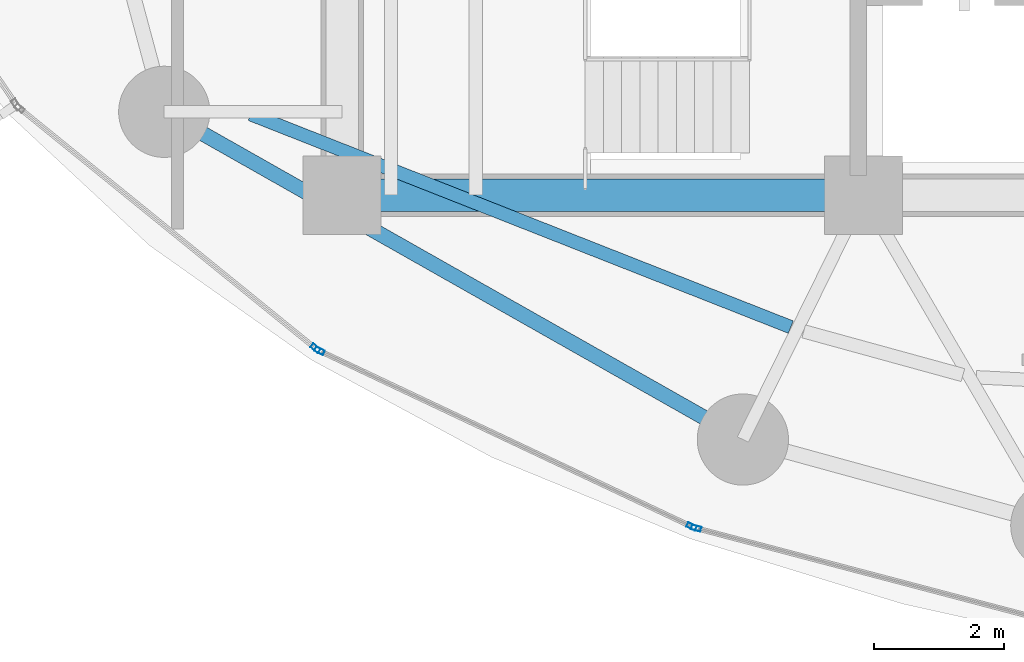
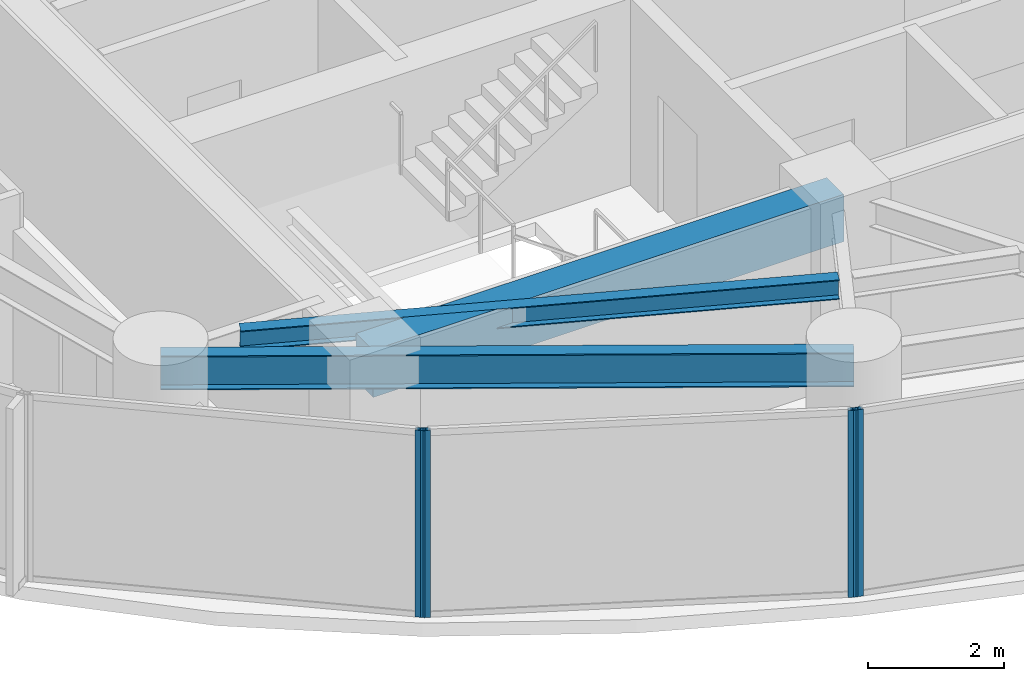
# One storey, part 2 of 30: 4 members, 3 beams, 3 elements without a shape of their own.
"""IFC4 building model written with IfcOpenShell, lengths in metres."""

from ifc_helpers import new_model, si_unit, direction, frame, origin, origin_2d, place, context, subcontext, project, spatial, rectangle, hollow_rectangle, i_section, extrude, material, layer, layer_set, material_profile, profile_set, type_object, element, aggregate, save


model = new_model("IFC4")

# Units and contexts
model_context = context("Model", 3, precision=1e-05, world=origin(), true_north=direction((0.0, 1.0)))
body_context = subcontext(model_context, "Body", "Model", "MODEL_VIEW")
ifc_project = project(units=[si_unit("LENGTHUNIT", "METRE"), si_unit("AREAUNIT", "SQUARE_METRE"), si_unit("VOLUMEUNIT", "CUBIC_METRE"), si_unit("PLANEANGLEUNIT", "RADIAN"), si_unit("MASSUNIT", "GRAM", prefix="KILO")], contexts=[model_context])

# Site, building, storey
site_placement = place(None, origin())
site = spatial("IfcSite", under=ifc_project, at=site_placement, CompositionType="ELEMENT")
building_placement = place(site_placement, origin())
building = spatial("IfcBuilding", under=site, at=building_placement, Name="Kazevale Care Tower and Concert Hall", CompositionType="ELEMENT")
storey_placement = place(building_placement, frame((0.0, 0.0, 74.39990234375)))
storey = spatial("IfcBuildingStorey", under=building, at=storey_placement, Name="L19", CompositionType="ELEMENT", Elevation=74.39990234375)

# Curtain wall, member
ifc_material_1 = material(Name="Aluminium 6063-T6 and Low-E Glass", Category="aluminium")
ifc_layer = layer(ifc_material_1, 0.179931640625)
ifc_layer_set = layer_set([ifc_layer], Name="Aluminium 6063-T6 and Low-E Glass")
curtain_wall_type = type_object("IfcCurtainWallType", Name="Sheltered Concave Balcony Curtain Wall CW-5", PredefinedType="NOTDEFINED", material=ifc_layer_set)
curtain_wall_1_placement = place(storey_placement, origin())
curtain_wall_1 = element("IfcCurtainWall", 1, at=curtain_wall_1_placement, inside=storey, type_object=curtain_wall_type, Name="cw:L19:f08", PredefinedType="NOTDEFINED")
ifc_material_2 = material(Name="Aluminium 6063-T6", Category="aluminium")
ifc_material_profile_1 = material_profile(ifc_material_2, hollow_rectangle(XDim=0.074951171875, YDim=0.14990234375, WallThickness=0.00390625, at=origin_2d()), Name="ALU75x150x4")
ifc_profile_set_1 = profile_set([ifc_material_profile_1], Name="Aluminium 6063-T6")
member_type = type_object("IfcMemberType", Name="CW-5 Mullion ALU75x150x4", PredefinedType="MULLION", material=ifc_profile_set_1)
member_1_placement = place(storey_placement, frame((27.433349609375, 18.489501953125, 0.0), z_axis=(0.0, 0.0, 1.0), x_axis=(-0.254828630267, -0.966986230097, 0.0)))
member_1 = element("IfcMember", 2, at=member_1_placement, type_object=member_type, Name="CW-5 mullion 2", PredefinedType="MULLION", context=body_context, shape_type="SweptSolid", body=[
    extrude(hollow_rectangle(XDim=0.074951171875, YDim=0.14990234375, WallThickness=0.00390625, at=origin_2d()), origin(), (0.0, 0.0, 1.0), 3.360107421875),
])
aggregate(curtain_wall_1, [member_1])

# Curtain wall, members
curtain_wall_2_placement = place(storey_placement, origin())
curtain_wall_2 = element("IfcCurtainWall", 3, at=curtain_wall_2_placement, inside=storey, type_object=curtain_wall_type, Name="cw:L19:f09", PredefinedType="NOTDEFINED")
member_2_placement = place(storey_placement, frame((27.363037109375, 18.514892578125, 0.0), z_axis=(0.0, 0.0, 1.0), x_axis=(-0.426942320459, -0.904278859092, 0.0)))
member_2 = element("IfcMember", 4, at=member_2_placement, type_object=member_type, Name="CW-5 mullion 1", PredefinedType="MULLION", context=body_context, shape_type="SweptSolid", body=[
    extrude(hollow_rectangle(XDim=0.074951171875, YDim=0.14990234375, WallThickness=0.00390625, at=origin_2d()), origin(), (0.0, 0.0, 1.0), 3.360107421875),
])
member_3_placement = place(storey_placement, frame((21.65283203125, 21.2109375, 0.0), z_axis=(0.0, 0.0, 1.0), x_axis=(-0.426942320459, -0.904278859092, 0.0)))
member_3 = element("IfcMember", 5, at=member_3_placement, type_object=member_type, Name="CW-5 mullion 2", PredefinedType="MULLION", context=body_context, shape_type="SweptSolid", body=[
    extrude(hollow_rectangle(XDim=0.074951171875, YDim=0.14990234375, WallThickness=0.00390625, at=origin_2d()), origin(), (0.0, 0.0, 1.0), 3.360107421875),
])
aggregate(curtain_wall_2, [member_2, member_3])

# Curtain wall, member
curtain_wall_3_placement = place(storey_placement, origin())
curtain_wall_3 = element("IfcCurtainWall", 6, at=curtain_wall_3_placement, inside=storey, type_object=curtain_wall_type, Name="cw:L19:f10", PredefinedType="NOTDEFINED")
member_4_placement = place(storey_placement, frame((21.58984375, 21.250732421875, 0.0), z_axis=(0.0, 0.0, 1.0), x_axis=(-0.629994732952, -0.77659940539, 0.0)))
member_4 = element("IfcMember", 7, at=member_4_placement, type_object=member_type, Name="CW-5 mullion 1", PredefinedType="MULLION", context=body_context, shape_type="SweptSolid", body=[
    extrude(hollow_rectangle(XDim=0.074951171875, YDim=0.14990234375, WallThickness=0.00390625, at=origin_2d()), origin(), (0.0, 0.0, 1.0), 3.360107421875),
])
aggregate(curtain_wall_3, [member_4])

# Beams
ifc_material_3 = material(Name="Concrete C60", Category="concrete")
ifc_material_profile_2 = material_profile(ifc_material_3, rectangle(XDim=0.5, YDim=0.85009765625, at=origin_2d()), Name="RC-B500x850")
ifc_profile_set_2 = profile_set([ifc_material_profile_2], Name="Concrete C60")
beam_type_1 = type_object("IfcBeamType", Name="Core Coupling Beam RC500x850", PredefinedType="LINTEL", material=ifc_profile_set_2)
beam_1_placement = place(storey_placement, frame((22.0, 23.60009765625, 2.93505859375), z_axis=(1.0, 0.0, 0.0), x_axis=(0.0, 1.0, 0.0)))
element("IfcBeam", 8, at=beam_1_placement, inside=storey, type_object=beam_type_1, Name="beam:L19:coretie:1", PredefinedType="LINTEL", context=body_context, shape_type="SweptSolid", body=[
    extrude(rectangle(XDim=0.5, YDim=0.85009765625, at=origin_2d()), origin(), (0.0, 0.0, 1.0), 8.0),
])
ifc_material_4 = material(Name="Steel ASTM A572 Gr 50", Category="steel")
ifc_material_profile_3 = material_profile(ifc_material_4, i_section(OverallWidth=0.22900390625, OverallDepth=0.612060546875, WebThickness=0.011962890625, FlangeThickness=0.01953125, at=origin_2d()), Name="W610x125")
ifc_profile_set_3 = profile_set([ifc_material_profile_3], Name="Steel ASTM A572 Gr 50")
beam_type_2 = type_object("IfcBeamType", Name="Ring Spandrel Beam W610x125", PredefinedType="SPANDREL", material=ifc_profile_set_3)
beam_2_placement = place(storey_placement, frame((19.27001953125, 24.8798828125, 3.05419921875), z_axis=(0.870112469479, -0.492853213906, 0.0), x_axis=(0.492853213906, 0.870112469479, 0.0)))
element("IfcBeam", 9, at=beam_2_placement, inside=storey, type_object=beam_type_2, Name="beam:L19:ring:10", PredefinedType="SPANDREL", context=body_context, shape_type="SweptSolid", body=[
    extrude(i_section(OverallWidth=0.22900390625, OverallDepth=0.612060546875, WebThickness=0.011962890625, FlangeThickness=0.01953125, at=origin_2d()), origin(), (0.0, 0.0, 1.0), 10.205322265625),
])
ifc_material_profile_4 = material_profile(ifc_material_4, i_section(OverallWidth=0.205078125, OverallDepth=0.35400390625, WebThickness=0.009521484375, FlangeThickness=0.016845703125, at=origin_2d()), Name="W360x79")
ifc_profile_set_4 = profile_set([ifc_material_profile_4], Name="Steel ASTM A572 Gr 50")
beam_type_3 = type_object("IfcBeamType", Name="Secondary Floor Joist W360x79", PredefinedType="JOIST", material=ifc_profile_set_4)
beam_3_placement = place(storey_placement, frame((20.595947265625, 24.842041015625, 3.18310546875), z_axis=(0.930380638802, -0.366594963062, 0.0), x_axis=(0.366594963062, 0.930380638802, 0.0)))
element("IfcBeam", 10, at=beam_3_placement, inside=storey, type_object=beam_type_3, Name="beam:L19:joist:10", PredefinedType="JOIST", context=body_context, shape_type="SweptSolid", body=[
    extrude(i_section(OverallWidth=0.205078125, OverallDepth=0.35400390625, WebThickness=0.009521484375, FlangeThickness=0.016845703125, at=origin_2d()), origin(), (0.0, 0.0, 1.0), 8.909423828125),
])

save(model, "model.ifc")
